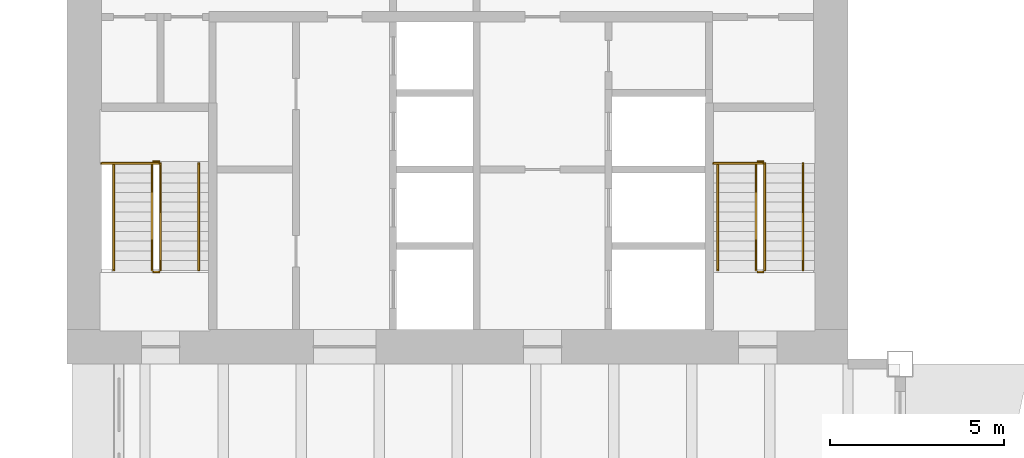
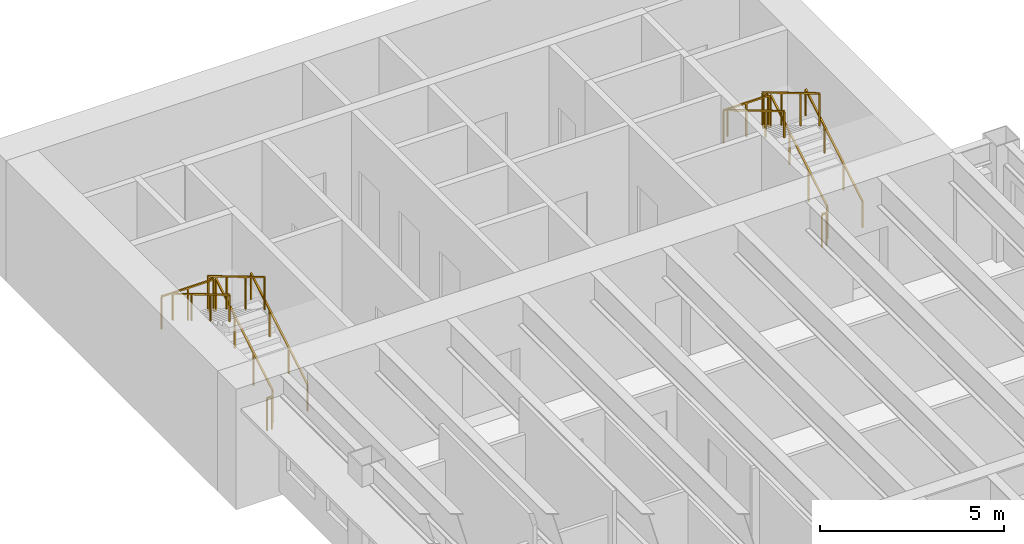
# One storey, part 17 of 17: 14 railings.
"""IFC4 building model written with IfcOpenShell, lengths in metres."""

from ifc_helpers import new_model, si_unit, direction, frame, origin, origin_2d, place, context, subcontext, project, spatial, rectangle, extrude, material, type_object, element, save


model = new_model("IFC4")

# Units and contexts
model_context = context("Model", 3, precision=1e-05, world=origin(), true_north=direction((0.0, 1.0)))
body_context = subcontext(model_context, "Body", "Model", "MODEL_VIEW")
ifc_project = project(units=[si_unit("LENGTHUNIT", "METRE"), si_unit("AREAUNIT", "SQUARE_METRE"), si_unit("VOLUMEUNIT", "CUBIC_METRE"), si_unit("PLANEANGLEUNIT", "RADIAN"), si_unit("MASSUNIT", "GRAM", prefix="KILO")], contexts=[model_context])

# Site, building, storey
site_placement = place(None, origin())
site = spatial("IfcSite", under=ifc_project, at=site_placement, CompositionType="ELEMENT")
building_placement = place(site_placement, origin())
building = spatial("IfcBuilding", under=site, at=building_placement, Name="Sennacour Bend Tower", CompositionType="ELEMENT")
storey_placement = place(building_placement, frame((0.0, 0.0, 199.0)))
storey = spatial("IfcBuildingStorey", under=building, at=storey_placement, Name="L45", CompositionType="ELEMENT", Elevation=199.0)

# Railings
ifc_material = material(Name="Stainless steel", Category="steel")
railing_type_1 = type_object("IfcRailingType", Name="RL-GUARD-1100", PredefinedType="GUARDRAIL", material=ifc_material)
railing_1_placement = place(storey_placement, frame((2.699951171875, 38.699951171875, 0.166748046875)))
element("IfcRailing", 1, at=railing_1_placement, inside=storey, type_object=railing_type_1, Name="L45 SB1 stair guard 1", PredefinedType="GUARDRAIL", context=body_context, shape_type="SweptSolid", body=[
    extrude(rectangle(XDim=0.048095703125, YDim=0.048095703125, at=origin_2d()), frame((0.0, 0.0, 1.076171875), z_axis=(0.0, 0.859308565015, 0.511457515432), x_axis=(-1.0, 0.0, 0.0)), (0.0, 0.0, 1.0), 3.58447265625),
    extrude(rectangle(XDim=0.0419921875, YDim=0.0419921875, at=origin_2d()), origin(), (0.0, 0.0, 1.0), 1.052001953125),
    extrude(rectangle(XDim=0.0419921875, YDim=0.0419921875, at=origin_2d()), frame((0.0, 1.026611328125, 0.611083984375)), (0.0, 0.0, 1.0), 1.052001953125),
    extrude(rectangle(XDim=0.0419921875, YDim=0.0419921875, at=origin_2d()), frame((0.0, 2.053466796875, 1.22216796875)), (0.0, 0.0, 1.0), 1.052001953125),
    extrude(rectangle(XDim=0.0419921875, YDim=0.0419921875, at=origin_2d()), frame((0.0, 3.080078125, 1.833251953125)), (0.0, 0.0, 1.0), 1.052001953125),
])
railing_2_placement = place(storey_placement, frame((2.64990234375, 41.830078125, 2.0)))
element("IfcRailing", 2, at=railing_2_placement, inside=storey, type_object=railing_type_1, Name="L45 SB1 stair guard 2", PredefinedType="GUARDRAIL", context=body_context, shape_type="SweptSolid", body=[
    extrude(rectangle(XDim=0.048095703125, YDim=0.048095703125, at=origin_2d()), frame((0.0, 0.0, 1.076171875), z_axis=(-1.0, 0.0, 0.0), x_axis=(0.0, -1.0, 0.0)), (0.0, 0.0, 1.0), 0.14990234375),
    extrude(rectangle(XDim=0.0419921875, YDim=0.0419921875, at=origin_2d()), origin(), (0.0, 0.0, 1.0), 1.052001953125),
    extrude(rectangle(XDim=0.0419921875, YDim=0.0419921875, at=origin_2d()), frame((-0.14990234375, 0.0, 0.0)), (0.0, 0.0, 1.0), 1.052001953125),
])
railing_3_placement = place(storey_placement, frame((2.449951171875, 41.780029296875, 2.166748046875)))
element("IfcRailing", 3, at=railing_3_placement, inside=storey, type_object=railing_type_1, Name="L45 SB1 stair guard 4", PredefinedType="GUARDRAIL", context=body_context, shape_type="SweptSolid", body=[
    extrude(rectangle(XDim=0.048095703125, YDim=0.048095703125, at=origin_2d()), frame((0.0, 0.0, 1.076171875), z_axis=(0.0, -0.859308565015, 0.511457515432), x_axis=(1.0, 0.0, 0.0)), (0.0, 0.0, 1.0), 3.58447265625),
    extrude(rectangle(XDim=0.0419921875, YDim=0.0419921875, at=origin_2d()), origin(), (0.0, 0.0, 1.0), 1.052001953125),
    extrude(rectangle(XDim=0.0419921875, YDim=0.0419921875, at=origin_2d()), frame((0.0, -1.026611328125, 0.611083984375)), (0.0, 0.0, 1.0), 1.052001953125),
    extrude(rectangle(XDim=0.0419921875, YDim=0.0419921875, at=origin_2d()), frame((0.0, -2.053466796875, 1.22216796875)), (0.0, 0.0, 1.0), 1.052001953125),
    extrude(rectangle(XDim=0.0419921875, YDim=0.0419921875, at=origin_2d()), frame((0.0, -3.080078125, 1.833251953125)), (0.0, 0.0, 1.0), 1.052001953125),
])
railing_4_placement = place(storey_placement, frame((2.64990234375, 38.64990234375, 0.0)))
element("IfcRailing", 4, at=railing_4_placement, inside=storey, type_object=railing_type_1, Name="L45 SB1 stair guard 5", PredefinedType="GUARDRAIL", context=body_context, shape_type="SweptSolid", body=[
    extrude(rectangle(XDim=0.048095703125, YDim=0.048095703125, at=origin_2d()), frame((0.0, 0.0, 1.076171875), z_axis=(-1.0, 0.0, 0.0), x_axis=(0.0, -1.0, 0.0)), (0.0, 0.0, 1.0), 0.14990234375),
    extrude(rectangle(XDim=0.0419921875, YDim=0.0419921875, at=origin_2d()), origin(), (0.0, 0.0, 1.0), 1.052001953125),
    extrude(rectangle(XDim=0.0419921875, YDim=0.0419921875, at=origin_2d()), frame((-0.14990234375, 0.0, 0.0)), (0.0, 0.0, 1.0), 1.052001953125),
])
railing_5_placement = place(storey_placement, frame((2.64990234375, 41.780029296875, 2.0)))
element("IfcRailing", 5, at=railing_5_placement, inside=storey, type_object=railing_type_1, Name="L45 SB1 landing edge guard 73", PredefinedType="GUARDRAIL", context=body_context, shape_type="SweptSolid", body=[
    extrude(rectangle(XDim=0.048095703125, YDim=0.048095703125, at=origin_2d()), frame((0.0, 0.0, 1.076171875), z_axis=(-1.0, 0.0, 0.0), x_axis=(0.0, -1.0, 0.0)), (0.0, 0.0, 1.0), 1.64990234375),
    extrude(rectangle(XDim=0.0419921875, YDim=0.0419921875, at=origin_2d()), origin(), (0.0, 0.0, 1.0), 1.052001953125),
    extrude(rectangle(XDim=0.0419921875, YDim=0.0419921875, at=origin_2d()), frame((-0.824951171875, 0.0, 0.0)), (0.0, 0.0, 1.0), 1.052001953125),
    extrude(rectangle(XDim=0.0419921875, YDim=0.0419921875, at=origin_2d()), frame((-1.64990234375, 0.0, 0.0)), (0.0, 0.0, 1.0), 1.052001953125),
])
railing_6_placement = place(storey_placement, frame((20.10009765625, 38.699951171875, 0.166748046875)))
element("IfcRailing", 6, at=railing_6_placement, inside=storey, type_object=railing_type_1, Name="L45 SB2 stair guard 1", PredefinedType="GUARDRAIL", context=body_context, shape_type="SweptSolid", body=[
    extrude(rectangle(XDim=0.048095703125, YDim=0.048095703125, at=origin_2d()), frame((0.0, 0.0, 1.076171875), z_axis=(0.0, 0.859308565015, 0.511457515432), x_axis=(-1.0, 0.0, 0.0)), (0.0, 0.0, 1.0), 3.58447265625),
    extrude(rectangle(XDim=0.0419921875, YDim=0.0419921875, at=origin_2d()), origin(), (0.0, 0.0, 1.0), 1.052001953125),
    extrude(rectangle(XDim=0.0419921875, YDim=0.0419921875, at=origin_2d()), frame((0.0, 1.026611328125, 0.611083984375)), (0.0, 0.0, 1.0), 1.052001953125),
    extrude(rectangle(XDim=0.0419921875, YDim=0.0419921875, at=origin_2d()), frame((0.0, 2.053466796875, 1.22216796875)), (0.0, 0.0, 1.0), 1.052001953125),
    extrude(rectangle(XDim=0.0419921875, YDim=0.0419921875, at=origin_2d()), frame((0.0, 3.080078125, 1.833251953125)), (0.0, 0.0, 1.0), 1.052001953125),
])
railing_7_placement = place(storey_placement, frame((20.050048828125, 41.830078125, 2.0)))
element("IfcRailing", 7, at=railing_7_placement, inside=storey, type_object=railing_type_1, Name="L45 SB2 stair guard 2", PredefinedType="GUARDRAIL", context=body_context, shape_type="SweptSolid", body=[
    extrude(rectangle(XDim=0.048095703125, YDim=0.048095703125, at=origin_2d()), frame((0.0, 0.0, 1.076171875), z_axis=(-1.0, 0.0, 0.0), x_axis=(0.0, -1.0, 0.0)), (0.0, 0.0, 1.0), 0.150146484375),
    extrude(rectangle(XDim=0.0419921875, YDim=0.0419921875, at=origin_2d()), origin(), (0.0, 0.0, 1.0), 1.052001953125),
    extrude(rectangle(XDim=0.0419921875, YDim=0.0419921875, at=origin_2d()), frame((-0.150146484375, 0.0, 0.0)), (0.0, 0.0, 1.0), 1.052001953125),
])
railing_8_placement = place(storey_placement, frame((19.85009765625, 41.780029296875, 2.166748046875)))
element("IfcRailing", 8, at=railing_8_placement, inside=storey, type_object=railing_type_1, Name="L45 SB2 stair guard 4", PredefinedType="GUARDRAIL", context=body_context, shape_type="SweptSolid", body=[
    extrude(rectangle(XDim=0.048095703125, YDim=0.048095703125, at=origin_2d()), frame((0.0, 0.0, 1.076171875), z_axis=(0.0, -0.859308565015, 0.511457515432), x_axis=(1.0, 0.0, 0.0)), (0.0, 0.0, 1.0), 3.58447265625),
    extrude(rectangle(XDim=0.0419921875, YDim=0.0419921875, at=origin_2d()), origin(), (0.0, 0.0, 1.0), 1.052001953125),
    extrude(rectangle(XDim=0.0419921875, YDim=0.0419921875, at=origin_2d()), frame((0.0, -1.026611328125, 0.611083984375)), (0.0, 0.0, 1.0), 1.052001953125),
    extrude(rectangle(XDim=0.0419921875, YDim=0.0419921875, at=origin_2d()), frame((0.0, -2.053466796875, 1.22216796875)), (0.0, 0.0, 1.0), 1.052001953125),
    extrude(rectangle(XDim=0.0419921875, YDim=0.0419921875, at=origin_2d()), frame((0.0, -3.080078125, 1.833251953125)), (0.0, 0.0, 1.0), 1.052001953125),
])
railing_9_placement = place(storey_placement, frame((20.050048828125, 38.64990234375, 0.0)))
element("IfcRailing", 9, at=railing_9_placement, inside=storey, type_object=railing_type_1, Name="L45 SB2 stair guard 5", PredefinedType="GUARDRAIL", context=body_context, shape_type="SweptSolid", body=[
    extrude(rectangle(XDim=0.048095703125, YDim=0.048095703125, at=origin_2d()), frame((0.0, 0.0, 1.076171875), z_axis=(-1.0, 0.0, 0.0), x_axis=(0.0, -1.0, 0.0)), (0.0, 0.0, 1.0), 0.150146484375),
    extrude(rectangle(XDim=0.0419921875, YDim=0.0419921875, at=origin_2d()), origin(), (0.0, 0.0, 1.0), 1.052001953125),
    extrude(rectangle(XDim=0.0419921875, YDim=0.0419921875, at=origin_2d()), frame((-0.150146484375, 0.0, 0.0)), (0.0, 0.0, 1.0), 1.052001953125),
])
railing_10_placement = place(storey_placement, frame((20.050048828125, 41.780029296875, 2.0)))
element("IfcRailing", 10, at=railing_10_placement, inside=storey, type_object=railing_type_1, Name="L45 SB2 landing edge guard 62", PredefinedType="GUARDRAIL", context=body_context, shape_type="SweptSolid", body=[
    extrude(rectangle(XDim=0.048095703125, YDim=0.048095703125, at=origin_2d()), frame((0.0, 0.0, 1.076171875), z_axis=(-1.0, 0.0, 0.0), x_axis=(0.0, -1.0, 0.0)), (0.0, 0.0, 1.0), 1.425048828125),
    extrude(rectangle(XDim=0.0419921875, YDim=0.0419921875, at=origin_2d()), origin(), (0.0, 0.0, 1.0), 1.052001953125),
    extrude(rectangle(XDim=0.0419921875, YDim=0.0419921875, at=origin_2d()), frame((-0.71240234375, 0.0, 0.0)), (0.0, 0.0, 1.0), 1.052001953125),
    extrude(rectangle(XDim=0.0419921875, YDim=0.0419921875, at=origin_2d()), frame((-1.425048828125, 0.0, 0.0)), (0.0, 0.0, 1.0), 1.052001953125),
])
railing_type_2 = type_object("IfcRailingType", Name="RL-HANDRAIL-900", PredefinedType="HANDRAIL", material=ifc_material)
railing_11_placement = place(storey_placement, frame((3.800048828125, 38.699951171875, 0.166748046875)))
element("IfcRailing", 11, at=railing_11_placement, inside=storey, type_object=railing_type_2, Name="L45 SB1 stair handrail 1", PredefinedType="HANDRAIL", context=body_context, shape_type="SweptSolid", body=[
    extrude(rectangle(XDim=0.048095703125, YDim=0.048095703125, at=origin_2d()), frame((0.0, 0.0, 0.8759765625), z_axis=(0.0, 0.859308565015, 0.511457515432), x_axis=(-1.0, 0.0, 0.0)), (0.0, 0.0, 1.0), 3.58447265625),
    extrude(rectangle(XDim=0.0419921875, YDim=0.0419921875, at=origin_2d()), origin(), (0.0, 0.0, 1.0), 0.851806640625),
    extrude(rectangle(XDim=0.0419921875, YDim=0.0419921875, at=origin_2d()), frame((0.0, 1.026611328125, 0.611083984375)), (0.0, 0.0, 1.0), 0.851806640625),
    extrude(rectangle(XDim=0.0419921875, YDim=0.0419921875, at=origin_2d()), frame((0.0, 2.053466796875, 1.22216796875)), (0.0, 0.0, 1.0), 0.851806640625),
    extrude(rectangle(XDim=0.0419921875, YDim=0.0419921875, at=origin_2d()), frame((0.0, 3.080078125, 1.833251953125)), (0.0, 0.0, 1.0), 0.851806640625),
])
railing_12_placement = place(storey_placement, frame((1.35009765625, 41.780029296875, 2.166748046875)))
element("IfcRailing", 12, at=railing_12_placement, inside=storey, type_object=railing_type_2, Name="L45 SB1 stair handrail 2", PredefinedType="HANDRAIL", context=body_context, shape_type="SweptSolid", body=[
    extrude(rectangle(XDim=0.048095703125, YDim=0.048095703125, at=origin_2d()), frame((0.0, 0.0, 0.8759765625), z_axis=(0.0, -0.859308565015, 0.511457515432), x_axis=(1.0, 0.0, 0.0)), (0.0, 0.0, 1.0), 3.58447265625),
    extrude(rectangle(XDim=0.0419921875, YDim=0.0419921875, at=origin_2d()), origin(), (0.0, 0.0, 1.0), 0.851806640625),
    extrude(rectangle(XDim=0.0419921875, YDim=0.0419921875, at=origin_2d()), frame((0.0, -1.026611328125, 0.611083984375)), (0.0, 0.0, 1.0), 0.851806640625),
    extrude(rectangle(XDim=0.0419921875, YDim=0.0419921875, at=origin_2d()), frame((0.0, -2.053466796875, 1.22216796875)), (0.0, 0.0, 1.0), 0.851806640625),
    extrude(rectangle(XDim=0.0419921875, YDim=0.0419921875, at=origin_2d()), frame((0.0, -3.080078125, 1.833251953125)), (0.0, 0.0, 1.0), 0.851806640625),
])
railing_13_placement = place(storey_placement, frame((21.199951171875, 38.699951171875, 0.166748046875)))
element("IfcRailing", 13, at=railing_13_placement, inside=storey, type_object=railing_type_2, Name="L45 SB2 stair handrail 1", PredefinedType="HANDRAIL", context=body_context, shape_type="SweptSolid", body=[
    extrude(rectangle(XDim=0.048095703125, YDim=0.048095703125, at=origin_2d()), frame((0.0, 0.0, 0.8759765625), z_axis=(0.0, 0.859308565015, 0.511457515432), x_axis=(-1.0, 0.0, 0.0)), (0.0, 0.0, 1.0), 3.58447265625),
    extrude(rectangle(XDim=0.0419921875, YDim=0.0419921875, at=origin_2d()), origin(), (0.0, 0.0, 1.0), 0.851806640625),
    extrude(rectangle(XDim=0.0419921875, YDim=0.0419921875, at=origin_2d()), frame((0.0, 1.026611328125, 0.611083984375)), (0.0, 0.0, 1.0), 0.851806640625),
    extrude(rectangle(XDim=0.0419921875, YDim=0.0419921875, at=origin_2d()), frame((0.0, 2.053466796875, 1.22216796875)), (0.0, 0.0, 1.0), 0.851806640625),
    extrude(rectangle(XDim=0.0419921875, YDim=0.0419921875, at=origin_2d()), frame((0.0, 3.080078125, 1.833251953125)), (0.0, 0.0, 1.0), 0.851806640625),
])
railing_14_placement = place(storey_placement, frame((18.75, 41.780029296875, 2.166748046875)))
element("IfcRailing", 14, at=railing_14_placement, inside=storey, type_object=railing_type_2, Name="L45 SB2 stair handrail 2", PredefinedType="HANDRAIL", context=body_context, shape_type="SweptSolid", body=[
    extrude(rectangle(XDim=0.048095703125, YDim=0.048095703125, at=origin_2d()), frame((0.0, 0.0, 0.8759765625), z_axis=(0.0, -0.859308565015, 0.511457515432), x_axis=(1.0, 0.0, 0.0)), (0.0, 0.0, 1.0), 3.58447265625),
    extrude(rectangle(XDim=0.0419921875, YDim=0.0419921875, at=origin_2d()), origin(), (0.0, 0.0, 1.0), 0.851806640625),
    extrude(rectangle(XDim=0.0419921875, YDim=0.0419921875, at=origin_2d()), frame((0.0, -1.026611328125, 0.611083984375)), (0.0, 0.0, 1.0), 0.851806640625),
    extrude(rectangle(XDim=0.0419921875, YDim=0.0419921875, at=origin_2d()), frame((0.0, -2.053466796875, 1.22216796875)), (0.0, 0.0, 1.0), 0.851806640625),
    extrude(rectangle(XDim=0.0419921875, YDim=0.0419921875, at=origin_2d()), frame((0.0, -3.080078125, 1.833251953125)), (0.0, 0.0, 1.0), 0.851806640625),
])

save(model, "model.ifc")
